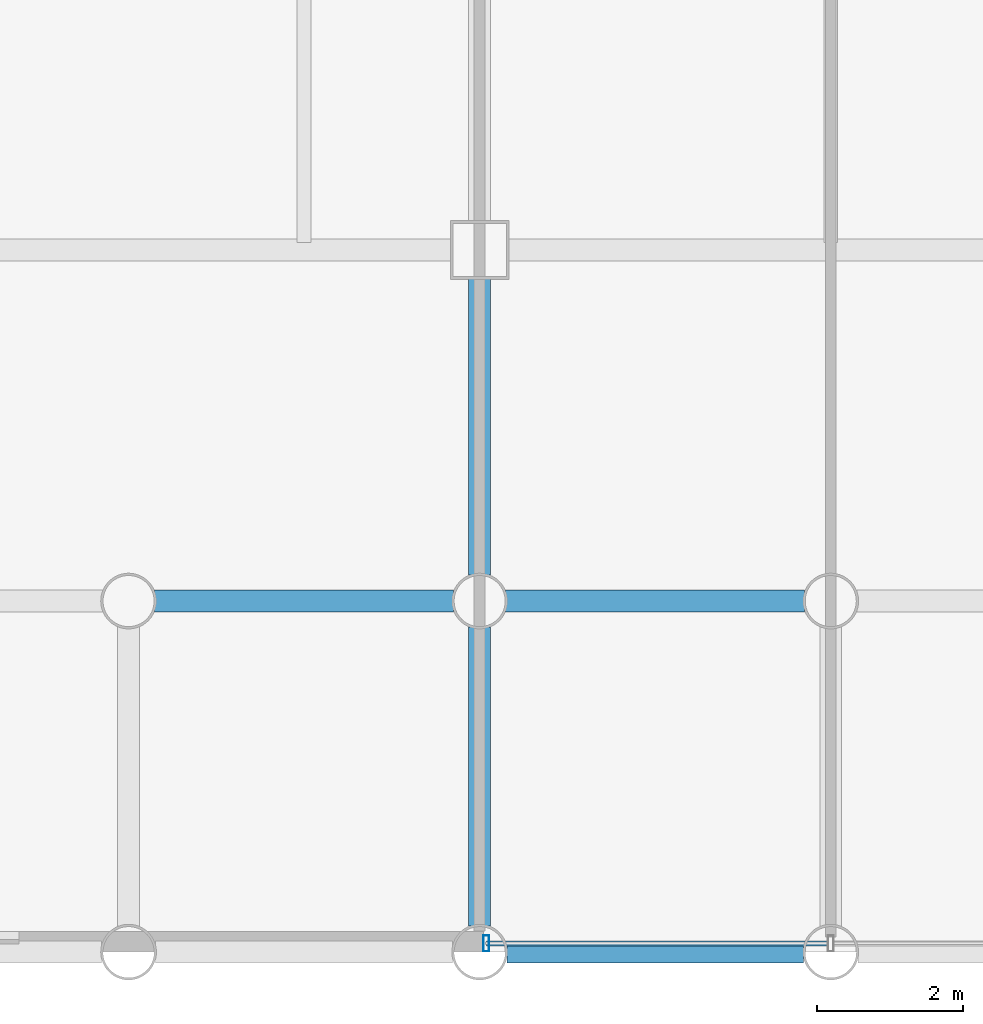
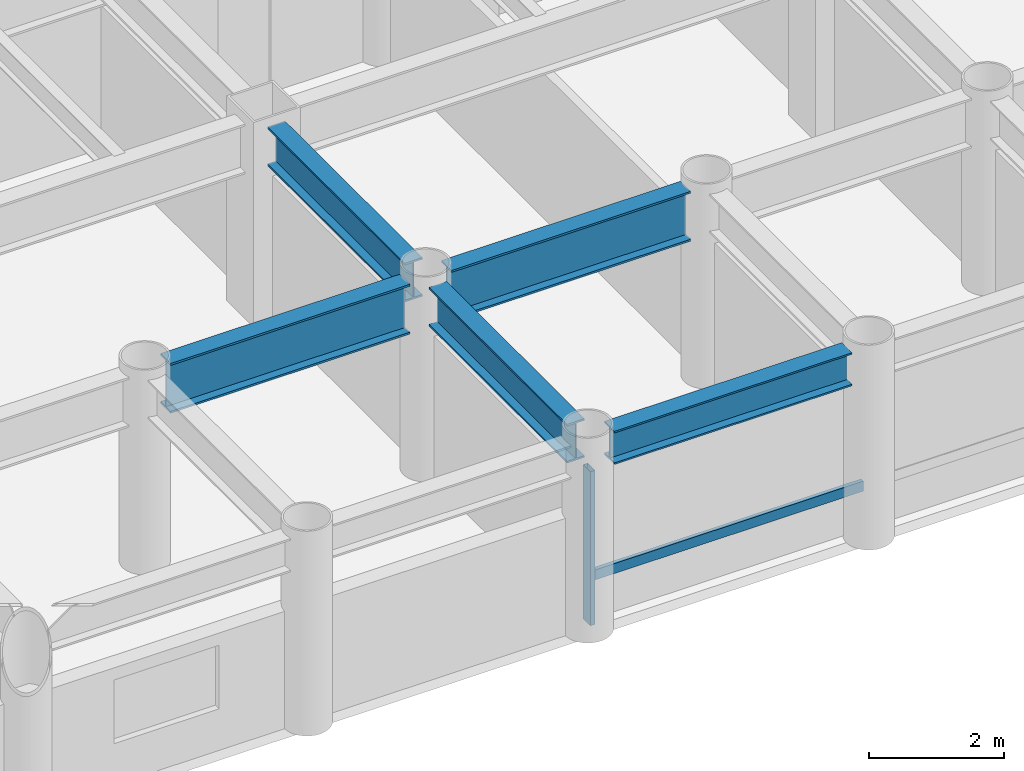
# One storey, part 2 of 21: 5 beams, 2 members, 1 element without a shape of its own.
"""IFC4 building model written with IfcOpenShell, lengths in metres."""

from ifc_helpers import new_model, si_unit, direction, frame, origin, origin_2d, place, context, subcontext, project, spatial, hollow_rectangle, i_section, extrude, material, layer, layer_set, material_profile, profile_set, type_object, element, aggregate, save


model = new_model("IFC4")

# Units and contexts
model_context = context("Model", 3, precision=1e-05, world=origin(), true_north=direction((0.0, 1.0)))
body_context = subcontext(model_context, "Body", "Model", "MODEL_VIEW")
ifc_project = project(units=[si_unit("LENGTHUNIT", "METRE"), si_unit("AREAUNIT", "SQUARE_METRE"), si_unit("VOLUMEUNIT", "CUBIC_METRE"), si_unit("PLANEANGLEUNIT", "RADIAN"), si_unit("MASSUNIT", "GRAM", prefix="KILO")], contexts=[model_context])

# Site, building, storey
site_placement = place(None, origin())
site = spatial("IfcSite", under=ifc_project, at=site_placement, CompositionType="ELEMENT")
building_placement = place(site_placement, origin())
building = spatial("IfcBuilding", under=site, at=building_placement, Name="Kallvorn Hotel Tower", CompositionType="ELEMENT")
storey_placement = place(building_placement, frame((0.0, 0.0, 52.199951171875)))
storey = spatial("IfcBuildingStorey", under=building, at=storey_placement, Name="L11", CompositionType="ELEMENT", Elevation=52.199951171875)

# Beams
ifc_material_1 = material(Name="Structural steel S355JR", Category="steel")
ifc_material_profile_1 = material_profile(ifc_material_1, i_section(OverallWidth=0.300048828125, OverallDepth=0.60009765625, WebThickness=0.015380859375, FlangeThickness=0.030029296875, at=origin_2d()), Name="HE 600 B")
ifc_profile_set_1 = profile_set([ifc_material_profile_1], Name="Structural steel S355JR")
beam_type_1 = type_object("IfcBeamType", Name="BM_HE600B", PredefinedType="SPANDREL", material=ifc_profile_set_1)
beam_1_placement = place(storey_placement, frame((-4.428955078125, -24.0, 3.219970703125), z_axis=(1.0, 0.0, 0.0), x_axis=(0.0, 1.0, 0.0)))
element("IfcBeam", 1, at=beam_1_placement, inside=storey, type_object=beam_type_1, Name="L12 Perimeter Spandrel 156", PredefinedType="SPANDREL", context=body_context, shape_type="SweptSolid", body=[
    extrude(i_section(OverallWidth=0.300048828125, OverallDepth=0.60009765625, WebThickness=0.015380859375, FlangeThickness=0.030029296875, at=origin_2d()), origin(), (0.0, 0.0, 1.0), 4.057861328125),
])
ifc_material_2 = material(Name="Structural steel S355JR", Category="steel")
ifc_material_profile_2 = material_profile(ifc_material_2, i_section(OverallWidth=0.300048828125, OverallDepth=0.699951171875, WebThickness=0.01708984375, FlangeThickness=0.031982421875, at=origin_2d()), Name="HE 700 B")
ifc_profile_set_2 = profile_set([ifc_material_profile_2], Name="Structural steel S355JR")
beam_type_2 = type_object("IfcBeamType", Name="BM_HE700B", PredefinedType="BEAM", material=ifc_profile_set_2)
beam_2_placement = place(storey_placement, frame((-4.800048828125, -23.64404296875, 3.170166015625), z_axis=(0.0, 1.0, 0.0), x_axis=(-1.0, 0.0, 0.0)))
element("IfcBeam", 2, at=beam_2_placement, inside=storey, type_object=beam_type_2, Name="L12 Primary Y-Girder 106", PredefinedType="BEAM", context=body_context, shape_type="SweptSolid", body=[
    extrude(i_section(OverallWidth=0.300048828125, OverallDepth=0.699951171875, WebThickness=0.01708984375, FlangeThickness=0.031982421875, at=origin_2d()), origin(), (0.0, 0.0, 1.0), 4.088134765625),
])
beam_3_placement = place(storey_placement, frame((-4.800048828125, -18.843994140625, 3.170166015625), z_axis=(0.0, 1.0, 0.0), x_axis=(-1.0, 0.0, 0.0)))
element("IfcBeam", 3, at=beam_3_placement, inside=storey, type_object=beam_type_2, Name="L12 Primary Y-Girder 107", PredefinedType="BEAM", context=body_context, shape_type="SweptSolid", body=[
    extrude(i_section(OverallWidth=0.300048828125, OverallDepth=0.699951171875, WebThickness=0.01708984375, FlangeThickness=0.031982421875, at=origin_2d()), origin(), (0.0, 0.0, 1.0), 4.069091796875),
])
ifc_material_3 = material(Name="Structural steel S355JR", Category="steel")
ifc_material_profile_3 = material_profile(ifc_material_3, i_section(OverallWidth=0.300048828125, OverallDepth=0.89990234375, WebThickness=0.0185546875, FlangeThickness=0.034912109375, at=origin_2d()), Name="HE 900 B")
ifc_profile_set_3 = profile_set([ifc_material_profile_3], Name="Structural steel S355JR")
beam_type_3 = type_object("IfcBeamType", Name="BM_HE900B", PredefinedType="BEAM", material=ifc_profile_set_3)
beam_4_placement = place(storey_placement, frame((-9.243896484375, -19.199951171875, 3.070068359375), z_axis=(1.0, 0.0, 0.0), x_axis=(0.0, 1.0, 0.0)))
element("IfcBeam", 4, at=beam_4_placement, inside=storey, type_object=beam_type_3, Name="L12 Primary X-Girder 06", PredefinedType="BEAM", context=body_context, shape_type="SweptSolid", body=[
    extrude(i_section(OverallWidth=0.300048828125, OverallDepth=0.89990234375, WebThickness=0.0185546875, FlangeThickness=0.034912109375, at=origin_2d()), origin(), (0.0, 0.0, 1.0), 4.087890625),
])
beam_5_placement = place(storey_placement, frame((-4.444091796875, -19.199951171875, 3.070068359375), z_axis=(1.0, 0.0, 0.0), x_axis=(0.0, 1.0, 0.0)))
element("IfcBeam", 5, at=beam_5_placement, inside=storey, type_object=beam_type_3, Name="L12 Primary X-Girder 07", PredefinedType="BEAM", context=body_context, shape_type="SweptSolid", body=[
    extrude(i_section(OverallWidth=0.300048828125, OverallDepth=0.89990234375, WebThickness=0.0185546875, FlangeThickness=0.034912109375, at=origin_2d()), origin(), (0.0, 0.0, 1.0), 4.088134765625),
])

# Curtain wall, members
ifc_material_4 = material(Name="Thermally broken black-anodised aluminium AA 6063-T6", Category="aluminium")
ifc_layer = layer(ifc_material_4, 0.199951171875)
ifc_layer_set = layer_set([ifc_layer], Name="CW_SYS_3_HOTEL_LOW")
curtain_wall_type = type_object("IfcCurtainWallType", Name="CW_SYS_3_HOTEL_LOW", PredefinedType="USERDEFINED", material=ifc_layer_set)
curtain_wall_placement = place(storey_placement, origin())
curtain_wall = element("IfcCurtainWall", 6, at=curtain_wall_placement, inside=storey, type_object=curtain_wall_type, Name="L11 Dark-Glass Curtain Wall CW-L11-SC", ObjectType="UNITISED CURTAIN WALL", PredefinedType="USERDEFINED")
ifc_material_5 = material(Name="Thermally broken black-anodised aluminium AA 6063-T6", Category="aluminium")
ifc_material_profile_4 = material_profile(ifc_material_5, hollow_rectangle(XDim=0.080078125, YDim=0.219970703125, WallThickness=0.0048828125, at=origin_2d()), Name="MUL 220x80")
ifc_profile_set_4 = profile_set([ifc_material_profile_4], Name="Thermally broken black-anodised aluminium AA 6063-T6")
member_type_1 = type_object("IfcMemberType", Name="CW_MULLION_220x80", PredefinedType="MULLION", material=ifc_profile_set_4)
member_1_placement = place(storey_placement, frame((-4.7099609375, -23.8798828125, 0.02001953125), z_axis=(0.0, 0.0, 1.0), x_axis=(1.0, 0.0, 0.0)))
member_1 = element("IfcMember", 7, at=member_1_placement, type_object=member_type_1, Name="CW-L11-SC Mullion 00", PredefinedType="MULLION", context=body_context, shape_type="SweptSolid", body=[
    extrude(hollow_rectangle(XDim=0.080078125, YDim=0.219970703125, WallThickness=0.0048828125, at=origin_2d()), origin(), (0.0, 0.0, 1.0), 2.780029296875),
])
ifc_material_6 = material(Name="Thermally broken black-anodised aluminium AA 6063-T6", Category="aluminium")
ifc_material_profile_5 = material_profile(ifc_material_6, hollow_rectangle(XDim=0.070068359375, YDim=0.179931640625, WallThickness=0.00390625, at=origin_2d()), Name="TRN 180x70")
ifc_profile_set_5 = profile_set([ifc_material_profile_5], Name="Thermally broken black-anodised aluminium AA 6063-T6")
member_type_2 = type_object("IfcMemberType", Name="CW_TRANSOM_180x70", PredefinedType="USERDEFINED", material=ifc_profile_set_5)
member_2_placement = place(storey_placement, frame((-4.7099609375, -23.8798828125, 0.85009765625), z_axis=(1.0, 0.0, 0.0), x_axis=(0.0, 1.0, 0.0)))
member_2 = element("IfcMember", 8, at=member_2_placement, type_object=member_type_2, Name="CW-L11-SC Transom 00M", ObjectType="TRANSOM", PredefinedType="USERDEFINED", context=body_context, shape_type="SweptSolid", body=[
    extrude(hollow_rectangle(XDim=0.070068359375, YDim=0.179931640625, WallThickness=0.00390625, at=origin_2d()), origin(), (0.0, 0.0, 1.0), 4.669921875),
])
aggregate(curtain_wall, [member_1, member_2])

save(model, "model.ifc")
